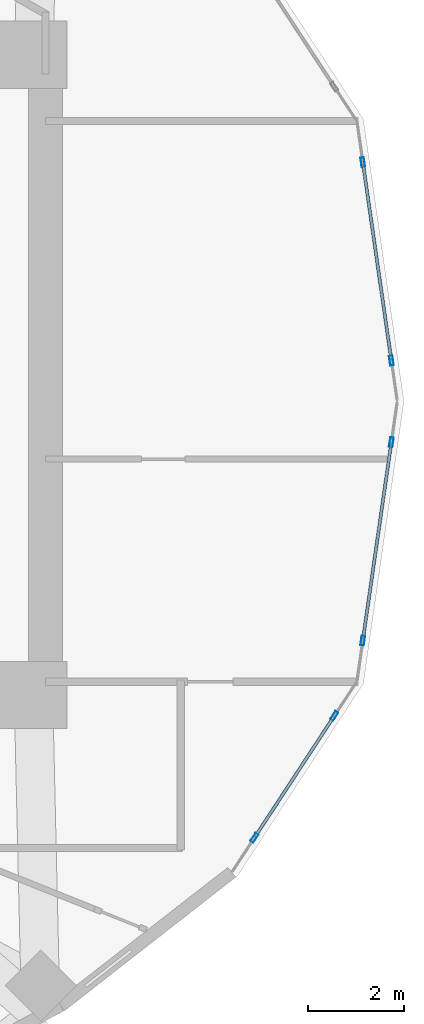
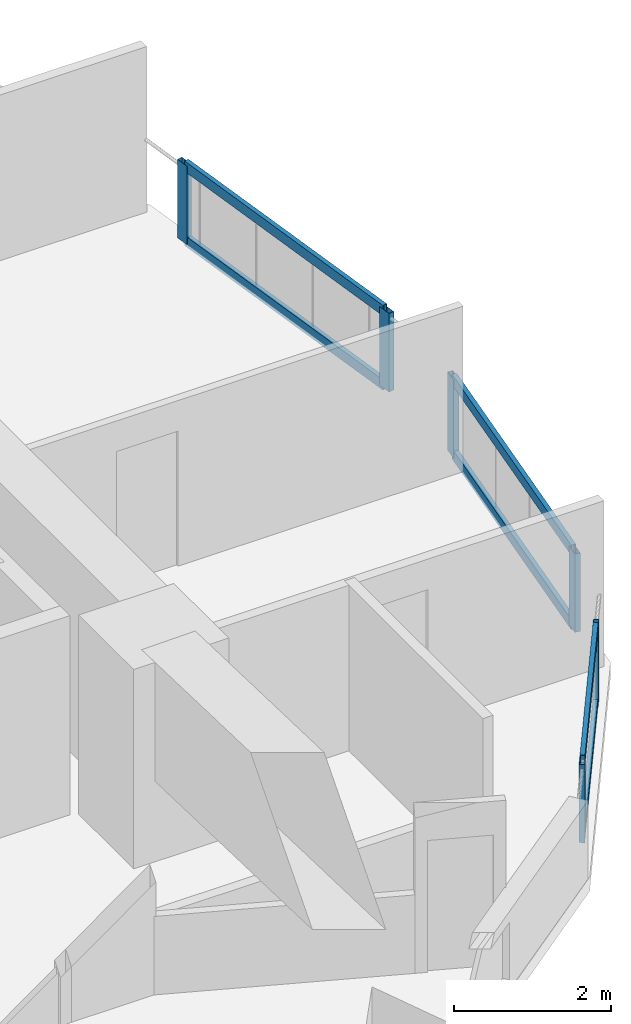
# One storey, part 3 of 14: 12 members, 3 elements without a shape of their own.
"""IFC4 building model written with IfcOpenShell, lengths in metres."""

from ifc_helpers import new_model, si_unit, direction, frame, origin, origin_2d, place, context, subcontext, project, spatial, hollow_rectangle, extrude, material, layer, layer_set, material_profile, profile_set, type_object, element, aggregate, save


model = new_model("IFC4")

# Units and contexts
model_context = context("Model", 3, precision=1e-05, world=origin(), true_north=direction((0.0, 1.0)))
body_context = subcontext(model_context, "Body", "Model", "MODEL_VIEW")
ifc_project = project(units=[si_unit("LENGTHUNIT", "METRE"), si_unit("AREAUNIT", "SQUARE_METRE"), si_unit("VOLUMEUNIT", "CUBIC_METRE"), si_unit("PLANEANGLEUNIT", "RADIAN"), si_unit("MASSUNIT", "GRAM", prefix="KILO")], contexts=[model_context])

# Site, building, storey
site_placement = place(None, origin())
site = spatial("IfcSite", under=ifc_project, at=site_placement, CompositionType="ELEMENT")
building_placement = place(site_placement, origin())
building = spatial("IfcBuilding", under=site, at=building_placement, Name="Solvane Sanctuary Tower", CompositionType="ELEMENT")
storey_placement = place(building_placement, frame((0.0, 0.0, 91.800048828125)))
storey = spatial("IfcBuildingStorey", under=building, at=storey_placement, Name="L27", CompositionType="ELEMENT", Elevation=91.800048828125)

# Curtain wall, members
ifc_material = material(Name="Anodised Aluminium 6063-T6", Category="aluminium")
ifc_layer = layer(ifc_material, 0.2099609375, Name="Anodised Aluminium 6063-T6")
ifc_layer_set = layer_set([ifc_layer], Name="Anodised Aluminium 6063-T6")
curtain_wall_type = type_object("IfcCurtainWallType", Name="Curtain Wall CW-PORTAL", PredefinedType="NOTDEFINED", material=ifc_layer_set)
curtain_wall_1_placement = place(storey_placement, origin())
curtain_wall_1 = element("IfcCurtainWall", 1, at=curtain_wall_1_placement, inside=storey, type_object=curtain_wall_type, Name="L27 CW-PORTAL Facade Run 00", PredefinedType="NOTDEFINED")
ifc_material_profile_1 = material_profile(ifc_material, hollow_rectangle(XDim=0.074951171875, YDim=0.199951171875, WallThickness=0.00390625, at=origin_2d()), Name="ALU200X75X4")
ifc_profile_set_1 = profile_set([ifc_material_profile_1], Name="Anodised Aluminium 6063-T6")
member_type_1 = type_object("IfcMemberType", Name="Member M-CW-MUL-1 ALU200X75X4", PredefinedType="MULLION", material=ifc_profile_set_1)
member_1_placement = place(storey_placement, frame((56.1376953125, 23.8486328125, 0.0), z_axis=(0.0, 0.0, 1.0), x_axis=(-0.989782250971, -0.142587151113, 0.0)))
member_1 = element("IfcMember", 2, at=member_1_placement, type_object=member_type_1, Name="CW-PORTAL mullion 1", PredefinedType="MULLION", context=body_context, shape_type="SweptSolid", body=[
    extrude(hollow_rectangle(XDim=0.074951171875, YDim=0.199951171875, WallThickness=0.00390625, at=origin_2d()), origin(), (0.0, 0.0, 1.0), 1.219970703125),
])
member_2_placement = place(storey_placement, frame((55.5439453125, 27.969970703125, 0.0), z_axis=(0.0, 0.0, 1.0), x_axis=(-0.989782250971, -0.142587151113, 0.0)))
member_2 = element("IfcMember", 3, at=member_2_placement, type_object=member_type_1, Name="CW-PORTAL mullion 2", PredefinedType="MULLION", context=body_context, shape_type="SweptSolid", body=[
    extrude(hollow_rectangle(XDim=0.074951171875, YDim=0.199951171875, WallThickness=0.00390625, at=origin_2d()), origin(), (0.0, 0.0, 1.0), 1.219970703125),
])

curtain_wall_2_placement = place(storey_placement, origin())
curtain_wall_2 = element("IfcCurtainWall", 4, at=curtain_wall_2_placement, inside=storey, type_object=curtain_wall_type, Name="L27 CW-PORTAL Facade Run 22", PredefinedType="NOTDEFINED")
member_3_placement = place(storey_placement, frame((53.290771484375, 13.9306640625, 0.0), z_axis=(0.0, 0.0, 1.0), x_axis=(-0.8362976391, 0.548275714249, 0.0)))
member_3 = element("IfcMember", 5, at=member_3_placement, type_object=member_type_1, Name="CW-PORTAL mullion 1", PredefinedType="MULLION", context=body_context, shape_type="SweptSolid", body=[
    extrude(hollow_rectangle(XDim=0.074951171875, YDim=0.199951171875, WallThickness=0.00390625, at=origin_2d()), origin(), (0.0, 0.0, 1.0), 1.219970703125),
])
member_4_placement = place(storey_placement, frame((54.95166015625, 16.464111328125, 0.0), z_axis=(0.0, 0.0, 1.0), x_axis=(-0.8362976391, 0.548275714249, 0.0)))
member_4 = element("IfcMember", 6, at=member_4_placement, type_object=member_type_1, Name="CW-PORTAL mullion 2", PredefinedType="MULLION", context=body_context, shape_type="SweptSolid", body=[
    extrude(hollow_rectangle(XDim=0.074951171875, YDim=0.199951171875, WallThickness=0.00390625, at=origin_2d()), origin(), (0.0, 0.0, 1.0), 1.219970703125),
])

curtain_wall_3_placement = place(storey_placement, origin())
curtain_wall_3 = element("IfcCurtainWall", 7, at=curtain_wall_3_placement, inside=storey, type_object=curtain_wall_type, Name="L27 CW-PORTAL Facade Run 23", PredefinedType="NOTDEFINED")
member_5_placement = place(storey_placement, frame((55.5439453125, 18.030029296875, 0.0), z_axis=(0.0, 0.0, 1.0), x_axis=(-0.989782250971, 0.142587151113, 0.0)))
member_5 = element("IfcMember", 8, at=member_5_placement, type_object=member_type_1, Name="CW-PORTAL mullion 1", PredefinedType="MULLION", context=body_context, shape_type="SweptSolid", body=[
    extrude(hollow_rectangle(XDim=0.074951171875, YDim=0.199951171875, WallThickness=0.00390625, at=origin_2d()), origin(), (0.0, 0.0, 1.0), 1.219970703125),
])
member_6_placement = place(storey_placement, frame((56.1376953125, 22.1513671875, 0.0), z_axis=(0.0, 0.0, 1.0), x_axis=(-0.989782250971, 0.142587151113, 0.0)))
member_6 = element("IfcMember", 9, at=member_6_placement, type_object=member_type_1, Name="CW-PORTAL mullion 2", PredefinedType="MULLION", context=body_context, shape_type="SweptSolid", body=[
    extrude(hollow_rectangle(XDim=0.074951171875, YDim=0.199951171875, WallThickness=0.00390625, at=origin_2d()), origin(), (0.0, 0.0, 1.0), 1.219970703125),
])

# Member
ifc_material_profile_2 = material_profile(ifc_material, hollow_rectangle(XDim=0.06494140625, YDim=0.159912109375, WallThickness=0.00341796875, at=origin_2d()), Name="ALU160X65X3.5")
ifc_profile_set_2 = profile_set([ifc_material_profile_2], Name="Anodised Aluminium 6063-T6")
member_type_2 = type_object("IfcMemberType", Name="Member M-CW-TRN-1 ALU160X65X3.5", PredefinedType="USERDEFINED", material=ifc_profile_set_2)
member_7_placement = place(storey_placement, frame((56.13232421875, 23.8857421875, 0.032470703125), z_axis=(-0.142583180387, 0.989782822982, 0.0), x_axis=(-0.989782822982, -0.142583180387, 0.0)))
member_7 = element("IfcMember", 10, at=member_7_placement, type_object=member_type_2, Name="CW-PORTAL transom 1.1", ObjectType="TRANSOM", PredefinedType="USERDEFINED", context=body_context, shape_type="SweptSolid", body=[
    extrude(hollow_rectangle(XDim=0.06494140625, YDim=0.159912109375, WallThickness=0.00341796875, at=origin_2d()), origin(), (0.0, 0.0, 1.0), 4.0888671875),
])

member_8_placement = place(storey_placement, frame((56.13232421875, 23.8857421875, 1.1875), z_axis=(-0.142583180387, 0.989782822982, 0.0), x_axis=(-0.989782822982, -0.142583180387, 0.0)))
member_8 = element("IfcMember", 11, at=member_8_placement, type_object=member_type_2, Name="CW-PORTAL transom 1.2", ObjectType="TRANSOM", PredefinedType="USERDEFINED", context=body_context, shape_type="SweptSolid", body=[
    extrude(hollow_rectangle(XDim=0.06494140625, YDim=0.159912109375, WallThickness=0.00341796875, at=origin_2d()), origin(), (0.0, 0.0, 1.0), 4.0888671875),
])

aggregate(curtain_wall_1, [member_1, member_2, member_7, member_8])

member_9_placement = place(storey_placement, frame((53.311279296875, 13.962158203125, 0.032470703125), z_axis=(0.548295383015, 0.836284743951, 0.0), x_axis=(-0.836284743951, 0.548295383015, 0.0)))
member_9 = element("IfcMember", 12, at=member_9_placement, type_object=member_type_2, Name="CW-PORTAL transom 1.1", ObjectType="TRANSOM", PredefinedType="USERDEFINED", context=body_context, shape_type="SweptSolid", body=[
    extrude(hollow_rectangle(XDim=0.06494140625, YDim=0.159912109375, WallThickness=0.00341796875, at=origin_2d()), origin(), (0.0, 0.0, 1.0), 2.954345703125),
])

member_10_placement = place(storey_placement, frame((53.311279296875, 13.962158203125, 1.1875), z_axis=(0.548295383015, 0.836284743951, 0.0), x_axis=(-0.836284743951, 0.548295383015, 0.0)))
member_10 = element("IfcMember", 13, at=member_10_placement, type_object=member_type_2, Name="CW-PORTAL transom 1.2", ObjectType="TRANSOM", PredefinedType="USERDEFINED", context=body_context, shape_type="SweptSolid", body=[
    extrude(hollow_rectangle(XDim=0.06494140625, YDim=0.159912109375, WallThickness=0.00341796875, at=origin_2d()), origin(), (0.0, 0.0, 1.0), 2.954345703125),
])

aggregate(curtain_wall_2, [member_3, member_4, member_9, member_10])

member_11_placement = place(storey_placement, frame((55.54931640625, 18.067138671875, 0.032470703125), z_axis=(0.142583180387, 0.989782822982, 0.0), x_axis=(-0.989782822982, 0.142583180387, 0.0)))
member_11 = element("IfcMember", 14, at=member_11_placement, type_object=member_type_2, Name="CW-PORTAL transom 1.1", ObjectType="TRANSOM", PredefinedType="USERDEFINED", context=body_context, shape_type="SweptSolid", body=[
    extrude(hollow_rectangle(XDim=0.06494140625, YDim=0.159912109375, WallThickness=0.00341796875, at=origin_2d()), origin(), (0.0, 0.0, 1.0), 4.0888671875),
])

member_12_placement = place(storey_placement, frame((55.54931640625, 18.067138671875, 1.1875), z_axis=(0.142583180387, 0.989782822982, 0.0), x_axis=(-0.989782822982, 0.142583180387, 0.0)))
member_12 = element("IfcMember", 15, at=member_12_placement, type_object=member_type_2, Name="CW-PORTAL transom 1.2", ObjectType="TRANSOM", PredefinedType="USERDEFINED", context=body_context, shape_type="SweptSolid", body=[
    extrude(hollow_rectangle(XDim=0.06494140625, YDim=0.159912109375, WallThickness=0.00341796875, at=origin_2d()), origin(), (0.0, 0.0, 1.0), 4.0888671875),
])

aggregate(curtain_wall_3, [member_5, member_6, member_11, member_12])

save(model, "model.ifc")
